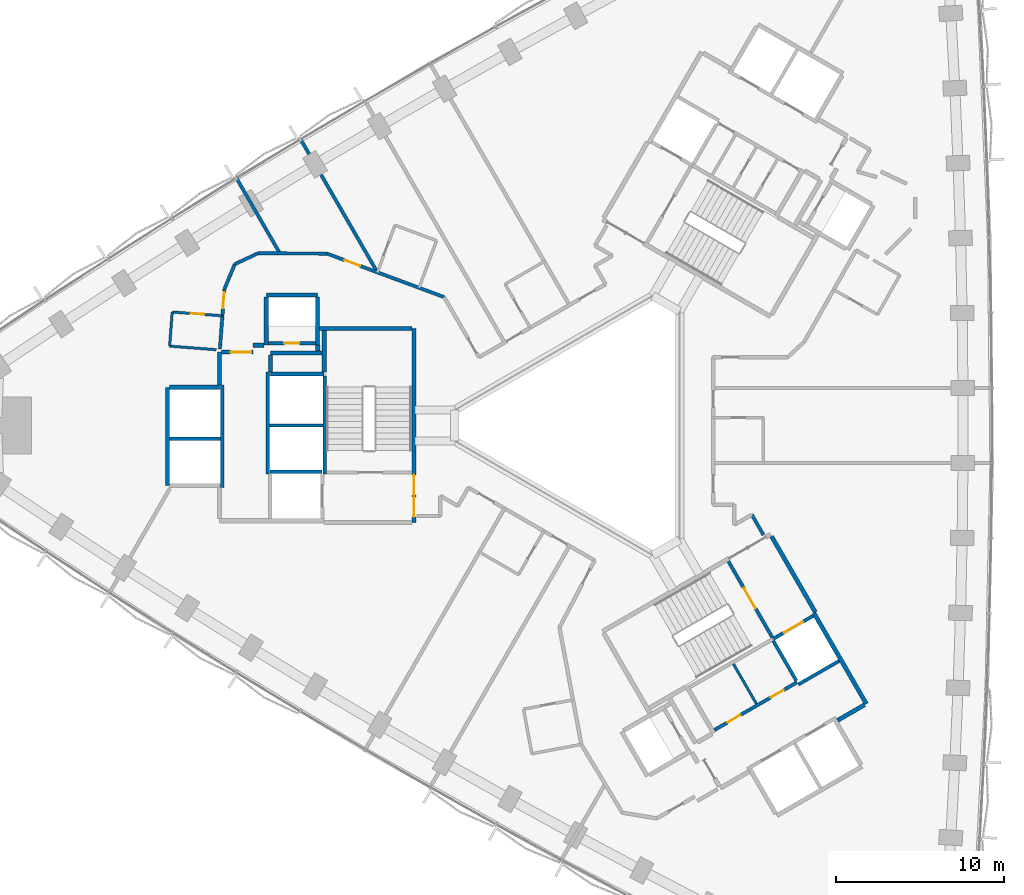
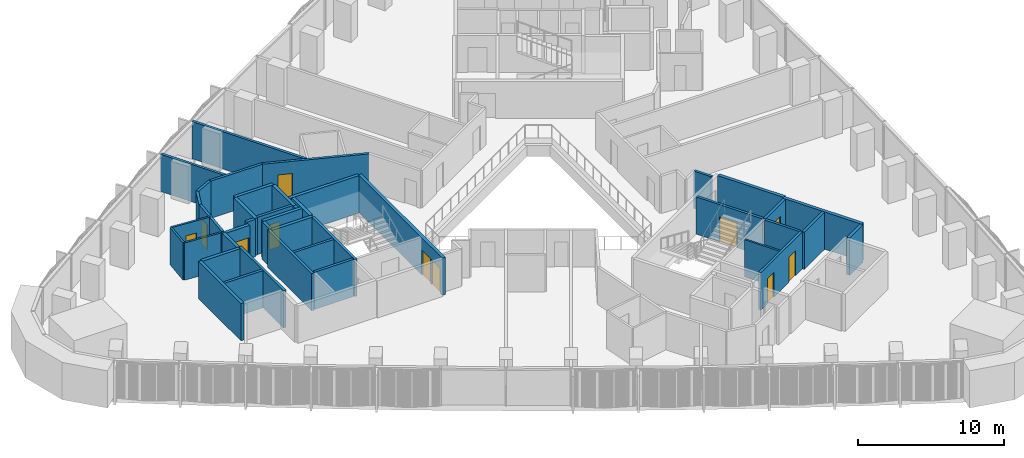
# One storey, part 9 of 15: 42 walls, 11 doors, 11 openings.
"""IFC4 building model written with IfcOpenShell, lengths in metres."""

from ifc_helpers import new_model, si_unit, direction, frame, frame_2d, origin, place, context, subcontext, project, spatial, rectangle, extrude, material, layer, layer_set, type_object, element, fill, save


model = new_model("IFC4")

# Units and contexts
model_context = context("Model", 3, precision=1e-05, world=origin(), true_north=direction((0.0, 1.0)))
body_context = subcontext(model_context, "Body", "Model", "MODEL_VIEW")
ifc_project = project(units=[si_unit("LENGTHUNIT", "METRE"), si_unit("AREAUNIT", "SQUARE_METRE"), si_unit("VOLUMEUNIT", "CUBIC_METRE"), si_unit("PLANEANGLEUNIT", "RADIAN"), si_unit("MASSUNIT", "GRAM", prefix="KILO")], contexts=[model_context])

# Site, building, storey
site_placement = place(None, origin())
site = spatial("IfcSite", under=ifc_project, at=site_placement, CompositionType="ELEMENT")
building_placement = place(site_placement, origin())
building = spatial("IfcBuilding", under=site, at=building_placement, Name="Tamra Quay Hotel Tower", CompositionType="ELEMENT")
storey_placement = place(building_placement, frame((0.0, 0.0, 42.199951171875)))
storey = spatial("IfcBuildingStorey", under=building, at=storey_placement, Name="L08", CompositionType="ELEMENT", Elevation=42.199951171875)

# Walls
ifc_material_1 = material(Name="Concrete M70", Category="concrete")
ifc_layer_1 = layer(ifc_material_1, 0.199951171875)
ifc_layer_set_1 = layer_set([ifc_layer_1], Name="Concrete M70 core wall 200")
wall_type_1 = type_object("IfcWallType", Name="Concrete M70 core wall 200", PredefinedType="SHEAR", material=ifc_layer_set_1)
wall_1_placement = place(storey_placement, frame((-16.162109375, 2.95068359375, 0.0), z_axis=(0.0, 0.0, 1.0), x_axis=(0.0, -1.0, 0.0)))
element("IfcWall", 1, at=wall_1_placement, inside=storey, type_object=wall_type_1, Name="CW2", PredefinedType="SHEAR", context=body_context, shape_type="SweptSolid", body=[
    extrude(rectangle(XDim=5.850830078125, YDim=0.199951171875, at=frame_2d((2.92529296875, 0.0))), origin(), (0.0, 0.0, 1.0), 3.125),
])
for number, where, z_axis, x_axis, name in (
    (2, (-19.5625, -2.900146484375, 0.0), (0.0, 0.0, 1.0), (0.0, 1.0, 0.0), "CW2"),
    (3, (-22.26220703125, 2.400146484375, 0.0), (0.0, 0.0, 1.0), (0.0, -1.0, 0.0), "CW2"),
):
    element("IfcWall", number, at=place(storey_placement, frame(where, z_axis=z_axis, x_axis=x_axis)), inside=storey, type_object=wall_type_1, Name=name, PredefinedType="SHEAR", context=body_context, shape_type="SweptSolid", body=[
        extrude(rectangle(XDim=6.100341796875, YDim=0.199951171875, at=frame_2d((3.05029296875, 0.0))), origin(), (0.0, 0.0, 1.0), 3.125),
    ])
wall_2_placement = place(storey_placement, frame((-16.26318359375, 0.0, 0.0), z_axis=(0.0, 0.0, 1.0), x_axis=(-1.0, 0.0, 0.0)))
element("IfcWall", 4, at=wall_2_placement, inside=storey, type_object=wall_type_1, Name="CW2", PredefinedType="SHEAR", context=body_context, shape_type="SweptSolid", body=[
    extrude(rectangle(XDim=3.1982421875, YDim=0.199951171875, at=frame_2d((1.59912109375, 0.0))), origin(), (0.0, 0.0, 1.0), 3.125),
])
wall_3_placement = place(storey_placement, frame((-22.36328125, -0.800048828125, 0.0), z_axis=(0.0, 0.0, 1.0), x_axis=(-1.0, 0.0, 0.0)))
element("IfcWall", 5, at=wall_3_placement, inside=storey, type_object=wall_type_1, Name="CW2", PredefinedType="SHEAR", context=body_context, shape_type="SweptSolid", body=[
    extrude(rectangle(XDim=3.048095703125, YDim=0.199951171875, at=frame_2d((1.52392578125, 0.0))), origin(), (0.0, 0.0, 1.0), 3.125),
])

# Wall, opening, door
wall_4_placement = place(storey_placement, frame((-19.51123046875, 4.91015625, 0.0), z_axis=(0.0, 0.0, 1.0), x_axis=(1.0, 0.0, 0.0)))
wall_4 = element("IfcWall", 6, at=wall_4_placement, inside=storey, type_object=wall_type_1, Name="CW2", PredefinedType="SHEAR", context=body_context, shape_type="SweptSolid", body=[
    extrude(rectangle(XDim=2.7978515625, YDim=0.199951171875, at=frame_2d((1.39892578125, 0.0))), origin(), (0.0, 0.0, 1.0), 3.125),
])
opening_1_placement = place(wall_4_placement, frame((0.948974609375, 0.0, 0.0)))
opening_1 = element("IfcOpeningElement", 7, at=opening_1_placement, cuts=wall_4, Name="Opening D1", PredefinedType="OPENING", context=body_context, shape_type="SweptSolid", body=[
    extrude(rectangle(XDim=0.89990234375, YDim=2.10009765625, at=frame_2d((0.449951171875, 1.050048828125))), frame((0.0, 0.10986328125, 0.0), z_axis=(0.0, -1.0, 0.0), x_axis=(1.0, 0.0, 0.0)), (0.0, 0.0, 1.0), 0.219970703125),
])
ifc_material_2 = material(Name="Core door D1 900x2100 RH")
door_type_1 = type_object("IfcDoorType", Name="Core door D1 900x2100 RH", OperationType="NOTDEFINED", PredefinedType="DOOR", material=ifc_material_2)
door_1_placement = place(opening_1_placement, origin())
door_1 = element("IfcDoor", 8, at=door_1_placement, inside=storey, type_object=door_type_1, Name="D1", OperationType="SINGLE_SWING_RIGHT", OverallHeight=2.10009765625, OverallWidth=0.89990234375, PredefinedType="DOOR", context=body_context, shape_type="SweptSolid", body=[
    extrude(rectangle(XDim=0.89990234375, YDim=2.10009765625, at=frame_2d((0.449951171875, 1.050048828125))), frame((0.0, 0.02490234375, 0.0), z_axis=(0.0, -1.0, 0.0), x_axis=(1.0, 0.0, 0.0)), (0.0, 0.0, 1.0), 0.050048828125),
])
fill(opening_1, door_1)

# Wall
wall_5_placement = place(storey_placement, frame((-19.412353515625, -2.75, 0.0), z_axis=(0.0, 0.0, 1.0), x_axis=(1.0, 0.0, 0.0)))
element("IfcWall", 9, at=wall_5_placement, inside=storey, type_object=wall_type_1, Name="CW2", PredefinedType="SHEAR", context=body_context, shape_type="SweptSolid", body=[
    extrude(rectangle(XDim=3.10009765625, YDim=0.199951171875, at=frame_2d((1.550048828125, 0.0))), origin(), (0.0, 0.0, 1.0), 3.125),
])

# Wall, openings, doors
wall_6_placement = place(storey_placement, frame((7.0771484375, -18.156005859375, 0.0), z_axis=(0.0, 0.0, 1.0), x_axis=(0.866038630372, 0.499977090179, 0.0)))
wall_6 = element("IfcWall", 10, at=wall_6_placement, inside=storey, type_object=wall_type_1, Name="CW2", PredefinedType="SHEAR", context=body_context, shape_type="SweptSolid", body=[
    extrude(rectangle(XDim=5.698974609375, YDim=0.199951171875, at=frame_2d((2.849609375, 0.0))), origin(), (0.0, 0.0, 1.0), 3.125),
])
opening_2_placement = place(wall_6_placement, frame((0.89892578125, 0.0, 0.0)))
opening_2 = element("IfcOpeningElement", 11, at=opening_2_placement, cuts=wall_6, Name="Opening D2", PredefinedType="OPENING", context=body_context, shape_type="SweptSolid", body=[
    extrude(rectangle(XDim=0.89990234375, YDim=2.10009765625, at=frame_2d((0.449951171875, 1.050048828125))), frame((0.0, 0.10986328125, 0.0), z_axis=(0.0, -1.0, 0.0), x_axis=(1.0, 0.0, 0.0)), (0.0, 0.0, 1.0), 0.219970703125),
])
opening_3_placement = place(wall_6_placement, frame((3.8740234375, 0.0, 0.0)))
opening_3 = element("IfcOpeningElement", 12, at=opening_3_placement, cuts=wall_6, Name="Opening D2", PredefinedType="OPENING", context=body_context, shape_type="SweptSolid", body=[
    extrude(rectangle(XDim=0.89990234375, YDim=2.10009765625, at=frame_2d((0.449951171875, 1.050048828125))), frame((0.0, 0.10986328125, 0.0), z_axis=(0.0, -1.0, 0.0), x_axis=(1.0, 0.0, 0.0)), (0.0, 0.0, 1.0), 0.219970703125),
])
ifc_material_3 = material(Name="Core door D2 900x2100 LH")
door_type_2 = type_object("IfcDoorType", Name="Core door D2 900x2100 LH", OperationType="NOTDEFINED", PredefinedType="DOOR", material=ifc_material_3)
door_2_placement = place(opening_2_placement, origin())
door_2 = element("IfcDoor", 13, at=door_2_placement, inside=storey, type_object=door_type_2, Name="D2", OperationType="SINGLE_SWING_LEFT", OverallHeight=2.10009765625, OverallWidth=0.89990234375, PredefinedType="DOOR", context=body_context, shape_type="SweptSolid", body=[
    extrude(rectangle(XDim=0.89990234375, YDim=2.10009765625, at=frame_2d((0.449951171875, 1.050048828125))), frame((0.0, 0.02490234375, 0.0), z_axis=(0.0, -1.0, 0.0), x_axis=(1.0, 0.0, 0.0)), (0.0, 0.0, 1.0), 0.050048828125),
])
fill(opening_2, door_2)
ifc_material_4 = material(Name="Core door D2 900x2100 RH")
door_type_3 = type_object("IfcDoorType", Name="Core door D2 900x2100 RH", OperationType="NOTDEFINED", PredefinedType="DOOR", material=ifc_material_4)
door_3_placement = place(opening_3_placement, origin())
door_3 = element("IfcDoor", 14, at=door_3_placement, inside=storey, type_object=door_type_3, Name="D2", OperationType="SINGLE_SWING_RIGHT", OverallHeight=2.10009765625, OverallWidth=0.89990234375, PredefinedType="DOOR", context=body_context, shape_type="SweptSolid", body=[
    extrude(rectangle(XDim=0.89990234375, YDim=2.10009765625, at=frame_2d((0.449951171875, 1.050048828125))), frame((0.0, 0.02490234375, 0.0), z_axis=(0.0, -1.0, 0.0), x_axis=(1.0, 0.0, 0.0)), (0.0, 0.0, 1.0), 0.050048828125),
])
fill(opening_3, door_3)

# Wall, opening, door
wall_7_placement = place(storey_placement, frame((7.906494140625, -8.094482421875, 0.0), z_axis=(0.0, 0.0, 1.0), x_axis=(0.500024287448, -0.866011380966, 0.0)))
wall_7 = element("IfcWall", 15, at=wall_7_placement, inside=storey, type_object=wall_type_1, Name="CW2", PredefinedType="SHEAR", context=body_context, shape_type="SweptSolid", body=[
    extrude(rectangle(XDim=5.251220703125, YDim=0.199951171875, at=frame_2d((2.62548828125, 0.0))), origin(), (0.0, 0.0, 1.0), 3.125),
])
opening_4_placement = place(wall_7_placement, frame((1.84912109375, 0.0, 0.0)))
opening_4 = element("IfcOpeningElement", 16, at=opening_4_placement, cuts=wall_7, Name="Opening FD2", PredefinedType="OPENING", context=body_context, shape_type="SweptSolid", body=[
    extrude(rectangle(XDim=1.39990234375, YDim=2.10009765625, at=frame_2d((0.699951171875, 1.050048828125))), frame((0.0, 0.10986328125, 0.0), z_axis=(0.0, -1.0, 0.0), x_axis=(1.0, 0.0, 0.0)), (0.0, 0.0, 1.0), 0.219970703125),
])
ifc_material_5 = material(Name="Core door FD2 1400x2100 RH")
door_type_4 = type_object("IfcDoorType", Name="Core door FD2 1400x2100 RH", OperationType="NOTDEFINED", PredefinedType="DOOR", material=ifc_material_5)
door_4_placement = place(opening_4_placement, origin())
door_4 = element("IfcDoor", 17, at=door_4_placement, inside=storey, type_object=door_type_4, Name="FD2", OperationType="SINGLE_SWING_RIGHT", OverallHeight=2.10009765625, OverallWidth=1.39990234375, PredefinedType="DOOR", context=body_context, shape_type="SweptSolid", body=[
    extrude(rectangle(XDim=1.39990234375, YDim=2.10009765625, at=frame_2d((0.699951171875, 1.050048828125))), frame((0.0, 0.02490234375, 0.0), z_axis=(0.0, -1.0, 0.0), x_axis=(1.0, 0.0, 0.0)), (0.0, 0.0, 1.0), 0.050048828125),
])
fill(opening_4, door_4)

# Wall
wall_8_placement = place(storey_placement, frame((11.962646484375, -15.219970703125, 0.0), z_axis=(0.0, 0.0, 1.0), x_axis=(-0.500034990121, 0.866005201286, 0.0)))
element("IfcWall", 18, at=wall_8_placement, inside=storey, type_object=wall_type_1, Name="CW2", PredefinedType="SHEAR", context=body_context, shape_type="SweptSolid", body=[
    extrude(rectangle(XDim=2.749755859375, YDim=0.199951171875, at=frame_2d((1.375, 0.0))), origin(), (0.0, 0.0, 1.0), 3.125),
])

# Wall, opening, door
wall_9_placement = place(storey_placement, frame((10.587158203125, -12.72314453125, 0.0), z_axis=(0.0, 0.0, 1.0), x_axis=(0.866037306777, 0.499979382845, 0.0)))
wall_9 = element("IfcWall", 19, at=wall_9_placement, inside=storey, type_object=wall_type_1, Name="CW2", PredefinedType="SHEAR", context=body_context, shape_type="SweptSolid", body=[
    extrude(rectangle(XDim=2.74169921875, YDim=0.199951171875, at=frame_2d((1.370849609375, 0.0))), origin(), (0.0, 0.0, 1.0), 3.125),
])
opening_5_placement = place(wall_9_placement, frame((0.742919921875, 0.0, 0.0)))
opening_5 = element("IfcOpeningElement", 20, at=opening_5_placement, cuts=wall_9, Name="Opening LD", PredefinedType="OPENING", context=body_context, shape_type="SweptSolid", body=[
    extrude(rectangle(XDim=1.300048828125, YDim=2.10009765625, at=frame_2d((0.64990234375, 1.050048828125))), frame((0.0, 0.10986328125, 0.0), z_axis=(0.0, -1.0, 0.0), x_axis=(1.0, 0.0, 0.0)), (0.0, 0.0, 1.0), 0.219970703125),
])
ifc_material_6 = material(Name="Landing door LD 1300 sliding to right")
door_type_5 = type_object("IfcDoorType", Name="Landing door LD 1300 sliding to right", OperationType="NOTDEFINED", PredefinedType="DOOR", material=ifc_material_6)
door_5_placement = place(opening_5_placement, origin())
door_5 = element("IfcDoor", 21, at=door_5_placement, inside=storey, type_object=door_type_5, Name="LD", OperationType="SLIDING_TO_RIGHT", OverallHeight=2.10009765625, OverallWidth=1.300048828125, PredefinedType="DOOR", context=body_context, shape_type="SweptSolid", body=[
    extrude(rectangle(XDim=1.300048828125, YDim=2.10009765625, at=frame_2d((0.64990234375, 1.050048828125))), frame((0.0, 0.02490234375, 0.0), z_axis=(0.0, -1.0, 0.0), x_axis=(1.0, 0.0, 0.0)), (0.0, 0.0, 1.0), 0.050048828125),
])
fill(opening_5, door_5)

# Wall
wall_10_placement = place(storey_placement, frame((14.51171875, -14.037109375, 0.0), z_axis=(0.0, 0.0, 1.0), x_axis=(-0.866044696403, -0.499966582715, 0.0)))
element("IfcWall", 22, at=wall_10_placement, inside=storey, type_object=wall_type_1, Name="CW2", PredefinedType="SHEAR", context=body_context, shape_type="SweptSolid", body=[
    extrude(rectangle(XDim=2.799072265625, YDim=0.199951171875, at=frame_2d((1.3994140625, 0.0))), origin(), (0.0, 0.0, 1.0), 3.125),
])

# Wall, openings, doors
ifc_layer_2 = layer(ifc_material_1, 0.25)
ifc_layer_set_2 = layer_set([ifc_layer_2], Name="Concrete M70 core wall 250")
wall_type_2 = type_object("IfcWallType", Name="Concrete M70 core wall 250", PredefinedType="SHEAR", material=ifc_layer_set_2)
wall_11_placement = place(storey_placement, frame((-10.83740234375, 5.77490234375, 0.0), z_axis=(0.0, 0.0, 1.0), x_axis=(0.0, -1.0, 0.0)))
wall_11 = element("IfcWall", 23, at=wall_11_placement, inside=storey, type_object=wall_type_2, Name="CW1", PredefinedType="SHEAR", context=body_context, shape_type="SweptSolid", body=[
    extrude(rectangle(XDim=11.5498046875, YDim=0.25, at=frame_2d((5.77490234375, 0.0))), origin(), (0.0, 0.0, 1.0), 3.125),
])
opening_6_placement = place(wall_11_placement, frame((10.02490234375, 0.0, 0.0)))
opening_6 = element("IfcOpeningElement", 24, at=opening_6_placement, cuts=wall_11, Name="Opening FD1", PredefinedType="OPENING", context=body_context, shape_type="SweptSolid", body=[
    extrude(rectangle(XDim=1.199951171875, YDim=2.10009765625, at=frame_2d((0.60009765625, 1.050048828125))), frame((0.0, 0.135009765625, 0.0), z_axis=(0.0, -1.0, 0.0), x_axis=(1.0, 0.0, 0.0)), (0.0, 0.0, 1.0), 0.27001953125),
])
opening_7_placement = place(wall_11_placement, frame((8.72509765625, 0.0, 0.0)))
opening_7 = element("IfcOpeningElement", 25, at=opening_7_placement, cuts=wall_11, Name="Opening FD1", PredefinedType="OPENING", context=body_context, shape_type="SweptSolid", body=[
    extrude(rectangle(XDim=1.199951171875, YDim=2.10009765625, at=frame_2d((0.60009765625, 1.050048828125))), frame((0.0, 0.135009765625, 0.0), z_axis=(0.0, -1.0, 0.0), x_axis=(1.0, 0.0, 0.0)), (0.0, 0.0, 1.0), 0.27001953125),
])
ifc_material_7 = material(Name="Core door FD1 1200x2100 LH")
door_type_6 = type_object("IfcDoorType", Name="Core door FD1 1200x2100 LH", OperationType="NOTDEFINED", PredefinedType="DOOR", material=ifc_material_7)
door_6_placement = place(opening_6_placement, origin())
door_6 = element("IfcDoor", 26, at=door_6_placement, inside=storey, type_object=door_type_6, Name="FD1", OperationType="SINGLE_SWING_LEFT", OverallHeight=2.10009765625, OverallWidth=1.199951171875, PredefinedType="DOOR", context=body_context, shape_type="SweptSolid", body=[
    extrude(rectangle(XDim=1.199951171875, YDim=2.10009765625, at=frame_2d((0.60009765625, 1.050048828125))), frame((0.0, 0.02490234375, 0.0), z_axis=(0.0, -1.0, 0.0), x_axis=(1.0, 0.0, 0.0)), (0.0, 0.0, 1.0), 0.050048828125),
])
fill(opening_6, door_6)
ifc_material_8 = material(Name="Core door FD1 1200x2100 RH")
door_type_7 = type_object("IfcDoorType", Name="Core door FD1 1200x2100 RH", OperationType="NOTDEFINED", PredefinedType="DOOR", material=ifc_material_8)
door_7_placement = place(opening_7_placement, origin())
door_7 = element("IfcDoor", 27, at=door_7_placement, inside=storey, type_object=door_type_7, Name="FD1", OperationType="SINGLE_SWING_RIGHT", OverallHeight=2.10009765625, OverallWidth=1.199951171875, PredefinedType="DOOR", context=body_context, shape_type="SweptSolid", body=[
    extrude(rectangle(XDim=1.199951171875, YDim=2.10009765625, at=frame_2d((0.60009765625, 1.050048828125))), frame((0.0, 0.02490234375, 0.0), z_axis=(0.0, -1.0, 0.0), x_axis=(1.0, 0.0, 0.0)), (0.0, 0.0, 1.0), 0.050048828125),
])
fill(opening_7, door_7)

# Walls
wall_12_placement = place(storey_placement, frame((-25.537353515625, -3.574951171875, 0.0), z_axis=(0.0, 0.0, 1.0), x_axis=(0.0, 1.0, 0.0)))
element("IfcWall", 28, at=wall_12_placement, inside=storey, type_object=wall_type_2, Name="CW1", PredefinedType="SHEAR", context=body_context, shape_type="SweptSolid", body=[
    extrude(rectangle(XDim=5.849853515625, YDim=0.25, at=frame_2d((2.9248046875, 0.0))), origin(), (0.0, 0.0, 1.0), 3.125),
])
wall_13_placement = place(storey_placement, frame((-16.47216796875, 5.77490234375, 0.0), z_axis=(0.0, 0.0, 1.0), x_axis=(1.0, 0.0, 0.0)))
element("IfcWall", 29, at=wall_13_placement, inside=storey, type_object=wall_type_2, Name="CW1", PredefinedType="SHEAR", context=body_context, shape_type="SweptSolid", body=[
    extrude(rectangle(XDim=5.509521484375, YDim=0.25, at=frame_2d((2.7548828125, 0.0))), origin(), (0.0, 0.0, 1.0), 3.125),
])
wall_14_placement = place(storey_placement, frame((-19.38720703125, 3.074951171875, 0.0), z_axis=(0.0, 0.0, 1.0), x_axis=(1.0, 0.0, 0.0)))
element("IfcWall", 30, at=wall_14_placement, inside=storey, type_object=wall_type_2, Name="CW1", PredefinedType="SHEAR", context=body_context, shape_type="SweptSolid", body=[
    extrude(rectangle(XDim=3.199951171875, YDim=0.25, at=frame_2d((1.60009765625, 0.0))), origin(), (0.0, 0.0, 1.0), 3.125),
])
wall_15_placement = place(storey_placement, frame((-25.411865234375, 2.27490234375, 0.0), z_axis=(0.0, 0.0, 1.0), x_axis=(1.0, 0.0, 0.0)))
element("IfcWall", 31, at=wall_15_placement, inside=storey, type_object=wall_type_2, Name="CW1", PredefinedType="SHEAR", context=body_context, shape_type="SweptSolid", body=[
    extrude(rectangle(XDim=2.974609375, YDim=0.25, at=frame_2d((1.4873046875, 0.0))), origin(), (0.0, 0.0, 1.0), 3.125),
])
wall_16_placement = place(storey_placement, frame((-19.63720703125, 7.77490234375, 0.0), z_axis=(0.0, 0.0, 1.0), x_axis=(1.0, 0.0, 0.0)))
element("IfcWall", 32, at=wall_16_placement, inside=storey, type_object=wall_type_2, Name="CW1", PredefinedType="SHEAR", context=body_context, shape_type="SweptSolid", body=[
    extrude(rectangle(XDim=3.0498046875, YDim=0.25, at=frame_2d((1.52490234375, 0.0))), origin(), (0.0, 0.0, 1.0), 3.125),
])
for number, where, z_axis, x_axis, name in (
    (33, (-16.58740234375, 7.649658203125, 0.0), (0.0, 0.0, 1.0), (0.0, -1.0, 0.0), "CW1"),
    (34, (-19.63720703125, 4.784912109375, 0.0), (0.0, 0.0, 1.0), (0.0, 1.0, 0.0), "CW1"),
):
    element("IfcWall", number, at=place(storey_placement, frame(where, z_axis=z_axis, x_axis=x_axis)), inside=storey, type_object=wall_type_2, Name=name, PredefinedType="SHEAR", context=body_context, shape_type="SweptSolid", body=[
        extrude(rectangle(XDim=2.86474609375, YDim=0.25, at=frame_2d((1.432373046875, 0.0))), origin(), (0.0, 0.0, 1.0), 3.125),
    ])
wall_17_placement = place(storey_placement, frame((-16.30224609375, 4.31494140625, 0.0), z_axis=(0.0, 0.0, 1.0), x_axis=(-1.0, 0.0, 0.0)))
element("IfcWall", 35, at=wall_17_placement, inside=storey, type_object=wall_type_2, Name="CW1", PredefinedType="SHEAR", context=body_context, shape_type="SweptSolid", body=[
    extrude(rectangle(XDim=3.0849609375, YDim=0.25, at=frame_2d((1.54248046875, 0.0))), origin(), (0.0, 0.0, 1.0), 3.125),
])
wall_18_placement = place(storey_placement, frame((-16.187255859375, 3.200439453125, 0.0), z_axis=(0.0, 0.0, 1.0), x_axis=(0.0, 1.0, 0.0)))
element("IfcWall", 36, at=wall_18_placement, inside=storey, type_object=wall_type_2, Name="CW1", PredefinedType="SHEAR", context=body_context, shape_type="SweptSolid", body=[
    extrude(rectangle(XDim=2.44921875, YDim=0.25, at=frame_2d((1.224609375, 0.0))), origin(), (0.0, 0.0, 1.0), 3.125),
])
wall_19_placement = place(storey_placement, frame((-22.437255859375, 2.400390625, 0.0), z_axis=(0.0, 0.0, 1.0), x_axis=(0.0, 1.0, 0.0)))
element("IfcWall", 37, at=wall_19_placement, inside=storey, type_object=wall_type_2, Name="CW1", PredefinedType="SHEAR", context=body_context, shape_type="SweptSolid", body=[
    extrude(rectangle(XDim=1.974609375, YDim=0.25, at=frame_2d((0.9873046875, 0.0))), origin(), (0.0, 0.0, 1.0), 3.125),
])

# Wall, opening, door
wall_20_placement = place(storey_placement, frame((-22.311767578125, 4.375, 0.0), z_axis=(0.0, 0.0, 1.0), x_axis=(1.0, 0.0, 0.0)))
wall_20 = element("IfcWall", 38, at=wall_20_placement, inside=storey, type_object=wall_type_2, Name="CW1", PredefinedType="SHEAR", context=body_context, shape_type="SweptSolid", body=[
    extrude(rectangle(XDim=1.864501953125, YDim=0.25, at=frame_2d((0.93212890625, 0.0))), origin(), (0.0, 0.0, 1.0), 3.125),
])
opening_8_placement = place(wall_20_placement, frame((0.53466796875, 0.0, 0.0)))
opening_8 = element("IfcOpeningElement", 39, at=opening_8_placement, cuts=wall_20, Name="Opening FD3", PredefinedType="OPENING", context=body_context, shape_type="SweptSolid", body=[
    extrude(rectangle(XDim=1.25, YDim=2.10009765625, at=frame_2d((0.625, 1.050048828125))), frame((0.0, 0.135009765625, 0.0), z_axis=(0.0, -1.0, 0.0), x_axis=(1.0, 0.0, 0.0)), (0.0, 0.0, 1.0), 0.27001953125),
])
ifc_material_9 = material(Name="Core door FD3 1250x2100 LH")
door_type_8 = type_object("IfcDoorType", Name="Core door FD3 1250x2100 LH", OperationType="NOTDEFINED", PredefinedType="DOOR", material=ifc_material_9)
door_8_placement = place(opening_8_placement, origin())
door_8 = element("IfcDoor", 40, at=door_8_placement, inside=storey, type_object=door_type_8, Name="FD3", OperationType="SINGLE_SWING_LEFT", OverallHeight=2.10009765625, OverallWidth=1.25, PredefinedType="DOOR", context=body_context, shape_type="SweptSolid", body=[
    extrude(rectangle(XDim=1.25, YDim=2.10009765625, at=frame_2d((0.625, 1.050048828125))), frame((0.0, 0.02490234375, 0.0), z_axis=(0.0, -1.0, 0.0), x_axis=(1.0, 0.0, 0.0)), (0.0, 0.0, 1.0), 0.050048828125),
])
fill(opening_8, door_8)

# Walls
wall_21_placement = place(storey_placement, frame((-19.38720703125, 4.189697265625, 0.0), z_axis=(0.0, 0.0, 1.0), x_axis=(0.0, -1.0, 0.0)))
element("IfcWall", 41, at=wall_21_placement, inside=storey, type_object=wall_type_2, Name="CW1", PredefinedType="SHEAR", context=body_context, shape_type="SweptSolid", body=[
    extrude(rectangle(XDim=0.9892578125, YDim=0.25, at=frame_2d((0.49462890625, 0.0))), origin(), (0.0, 0.0, 1.0), 3.125),
])
wall_22_placement = place(storey_placement, frame((-20.447265625, 4.784912109375, 0.0), z_axis=(0.0, 0.0, 1.0), x_axis=(1.0, 0.0, 0.0)))
element("IfcWall", 42, at=wall_22_placement, inside=storey, type_object=wall_type_2, Name="CW1", PredefinedType="SHEAR", context=body_context, shape_type="SweptSolid", body=[
    extrude(rectangle(XDim=0.6845703125, YDim=0.25, at=frame_2d((0.34228515625, 0.0))), origin(), (0.0, 0.0, 1.0), 3.125),
])
wall_23_placement = place(storey_placement, frame((-16.577392578125, 4.784912109375, 0.0), z_axis=(0.0, 0.0, 1.0), x_axis=(0.0, -1.0, 0.0)))
element("IfcWall", 43, at=wall_23_placement, inside=storey, type_object=wall_type_2, Name="CW1", PredefinedType="SHEAR", context=body_context, shape_type="SweptSolid", body=[
    extrude(rectangle(XDim=0.344482421875, YDim=0.25, at=frame_2d((0.17236328125, 0.0))), origin(), (0.0, 0.0, 1.0), 3.125),
])
wall_24_placement = place(storey_placement, frame((13.00830078125, -11.18115234375, 0.0), z_axis=(0.0, 0.0, 1.0), x_axis=(0.500004234368, -0.866022959057, 0.0)))
element("IfcWall", 44, at=wall_24_placement, inside=storey, type_object=wall_type_2, Name="CW1", PredefinedType="SHEAR", context=body_context, shape_type="SweptSolid", body=[
    extrude(rectangle(XDim=6.25, YDim=0.25, at=frame_2d((3.125, 0.0))), origin(), (0.0, 0.0, 1.0), 3.125),
])
wall_25_placement = place(storey_placement, frame((10.482666015625, -6.6064453125, 0.0), z_axis=(0.0, 0.0, 1.0), x_axis=(0.49999885962, -0.866026062182, 0.0)))
element("IfcWall", 45, at=wall_25_placement, inside=storey, type_object=wall_type_2, Name="CW1", PredefinedType="SHEAR", context=body_context, shape_type="SweptSolid", body=[
    extrude(rectangle(XDim=5.224609375, YDim=0.25, at=frame_2d((2.6123046875, 0.0))), origin(), (0.0, 0.0, 1.0), 3.125),
])
wall_26_placement = place(storey_placement, frame((16.024658203125, -16.656494140625, 0.0), z_axis=(0.0, 0.0, 1.0), x_axis=(-0.866016279763, -0.500015802937, 0.0)))
element("IfcWall", 46, at=wall_26_placement, inside=storey, type_object=wall_type_2, Name="CW1", PredefinedType="SHEAR", context=body_context, shape_type="SweptSolid", body=[
    extrude(rectangle(XDim=1.84912109375, YDim=0.25, at=frame_2d((0.924560546875, 0.0))), origin(), (0.0, 0.0, 1.0), 3.125),
])
ifc_material_10 = material(Name="Blockwork", Category="masonry")
ifc_layer_3 = layer(ifc_material_10, 0.14990234375)
ifc_layer_set_3 = layer_set([ifc_layer_3], Name="Core partition block 150")
wall_type_3 = type_object("IfcWallType", Name="Core partition block 150", PredefinedType="PARTITIONING", material=ifc_layer_set_3)
wall_27_placement = place(storey_placement, frame((8.20654296875, -14.214111328125, 0.0), z_axis=(0.0, 0.0, 1.0), x_axis=(0.50002746344, -0.86600954718, 0.0)))
element("IfcWall", 47, at=wall_27_placement, inside=storey, type_object=wall_type_3, Name="CP1", PredefinedType="PARTITIONING", context=body_context, shape_type="SweptSolid", body=[
    extrude(rectangle(XDim=2.748291015625, YDim=0.14990234375, at=frame_2d((1.3740234375, 0.0))), origin(), (0.0, 0.0, 1.0), 3.125),
])

# Wall, opening, door
ifc_material_11 = material(Name="Partition corridor wall")
ifc_layer_4 = layer(ifc_material_11, 0.199951171875)
ifc_layer_set_4 = layer_set([ifc_layer_4], Name="Partition corridor wall")
wall_type_4 = type_object("IfcWallType", Name="Partition corridor wall", PredefinedType="PARTITIONING", material=ifc_layer_set_4)
wall_28_placement = place(storey_placement, frame((-22.406494140625, 4.56005859375, 0.0), z_axis=(0.0, 0.0, 1.0), x_axis=(0.075830817711, 0.997120698354, 0.0)))
wall_28 = element("IfcWall", 48, at=wall_28_placement, inside=storey, type_object=wall_type_4, Name="W-C", PredefinedType="PARTITIONING", context=body_context, shape_type="SweptSolid", body=[
    extrude(rectangle(XDim=3.580078125, YDim=0.199951171875, at=frame_2d((1.7900390625, 0.0))), origin(), (0.0, 0.0, 1.0), 3.125),
])
opening_9_placement = place(wall_28_placement, frame((2.430419921875, 0.0, 0.0)))
opening_9 = element("IfcOpeningElement", 49, at=opening_9_placement, cuts=wall_28, Name="Opening L08-D012", PredefinedType="OPENING", context=body_context, shape_type="SweptSolid", body=[
    extrude(rectangle(XDim=0.949951171875, YDim=2.10009765625, at=frame_2d((0.47509765625, 1.050048828125))), frame((0.0, 0.10986328125, 0.0), z_axis=(0.0, -1.0, 0.0), x_axis=(1.0, 0.0, 0.0)), (0.0, 0.0, 1.0), 0.219970703125),
])
ifc_material_12 = material(Name="Door guest room 950x2100")
door_type_9 = type_object("IfcDoorType", Name="Door guest room 950x2100", OperationType="NOTDEFINED", PredefinedType="DOOR", material=ifc_material_12)
door_9_placement = place(opening_9_placement, origin())
door_9 = element("IfcDoor", 50, at=door_9_placement, inside=storey, type_object=door_type_9, Name="L08-D012", OperationType="SINGLE_SWING_LEFT", OverallHeight=2.10009765625, OverallWidth=0.949951171875, PredefinedType="DOOR", context=body_context, shape_type="SweptSolid", body=[
    extrude(rectangle(XDim=0.949951171875, YDim=2.10009765625, at=frame_2d((0.47509765625, 1.050048828125))), frame((0.0, 0.02490234375, 0.0), z_axis=(0.0, -1.0, 0.0), x_axis=(1.0, 0.0, 0.0)), (0.0, 0.0, 1.0), 0.050048828125),
])
fill(opening_9, door_9)

# Walls
wall_29_placement = place(storey_placement, frame((-22.135009765625, 8.134033203125, 0.0), z_axis=(0.0, 0.0, 1.0), x_axis=(0.383208453534, 0.923661886807, 0.0)))
element("IfcWall", 51, at=wall_29_placement, inside=storey, type_object=wall_type_4, Name="W-C", PredefinedType="PARTITIONING", context=body_context, shape_type="SweptSolid", body=[
    extrude(rectangle(XDim=1.602294921875, YDim=0.199951171875, at=frame_2d((0.80126953125, 0.0))), origin(), (0.0, 0.0, 1.0), 3.125),
])
wall_30_placement = place(storey_placement, frame((-21.52099609375, 9.614013671875, 0.0), z_axis=(0.0, 0.0, 1.0), x_axis=(0.904083527367, 0.427355795028, 0.0)))
element("IfcWall", 52, at=wall_30_placement, inside=storey, type_object=wall_type_4, Name="W-C", PredefinedType="PARTITIONING", context=body_context, shape_type="SweptSolid", body=[
    extrude(rectangle(XDim=1.52294921875, YDim=0.199951171875, at=frame_2d((0.761474609375, 0.0))), origin(), (0.0, 0.0, 1.0), 3.125),
])
wall_31_placement = place(storey_placement, frame((-20.14306640625, 10.26611328125, 0.0), z_axis=(0.0, 0.0, 1.0), x_axis=(0.999989297417, -0.004626559416, 0.0)))
element("IfcWall", 53, at=wall_31_placement, inside=storey, type_object=wall_type_4, Name="W-C", PredefinedType="PARTITIONING", context=body_context, shape_type="SweptSolid", body=[
    extrude(rectangle(XDim=4.115966796875, YDim=0.199951171875, at=frame_2d((2.05810546875, 0.0))), origin(), (0.0, 0.0, 1.0), 3.125),
])

# Wall, opening, door
wall_32_placement = place(storey_placement, frame((-16.025146484375, 10.248046875, 0.0), z_axis=(0.0, 0.0, 1.0), x_axis=(0.937475629829, -0.348050920809, 0.0)))
wall_32 = element("IfcWall", 54, at=wall_32_placement, inside=storey, type_object=wall_type_4, Name="W-C", PredefinedType="PARTITIONING", context=body_context, shape_type="SweptSolid", body=[
    extrude(rectangle(XDim=7.45849609375, YDim=0.199951171875, at=frame_2d((3.729248046875, 0.0))), origin(), (0.0, 0.0, 1.0), 3.125),
])
opening_10_placement = place(wall_32_placement, frame((1.11279296875, 0.0, 0.0)))
opening_10 = element("IfcOpeningElement", 55, at=opening_10_placement, cuts=wall_32, Name="Opening L08-D011", PredefinedType="OPENING", context=body_context, shape_type="SweptSolid", body=[
    extrude(rectangle(XDim=1.0, YDim=2.10009765625, at=frame_2d((0.5, 1.050048828125))), frame((0.0, 0.10986328125, 0.0), z_axis=(0.0, -1.0, 0.0), x_axis=(1.0, 0.0, 0.0)), (0.0, 0.0, 1.0), 0.219970703125),
])
ifc_material_13 = material(Name="Door guest room 1000x2100")
door_type_10 = type_object("IfcDoorType", Name="Door guest room 1000x2100", OperationType="NOTDEFINED", PredefinedType="DOOR", material=ifc_material_13)
door_10_placement = place(opening_10_placement, origin())
door_10 = element("IfcDoor", 56, at=door_10_placement, inside=storey, type_object=door_type_10, Name="L08-D011", OperationType="SINGLE_SWING_LEFT", OverallHeight=2.10009765625, OverallWidth=1.0, PredefinedType="DOOR", context=body_context, shape_type="SweptSolid", body=[
    extrude(rectangle(XDim=1.0, YDim=2.10009765625, at=frame_2d((0.5, 1.050048828125))), frame((0.0, 0.02490234375, 0.0), z_axis=(0.0, -1.0, 0.0), x_axis=(1.0, 0.0, 0.0)), (0.0, 0.0, 1.0), 0.050048828125),
])
fill(opening_10, door_10)

# Walls
wall_33_placement = place(storey_placement, frame((9.306884765625, -5.322021484375, 0.0), z_axis=(0.0, 0.0, 1.0), x_axis=(0.500295157811, -0.865854927266, 0.0)))
element("IfcWall", 57, at=wall_33_placement, inside=storey, type_object=wall_type_4, Name="W-C", PredefinedType="PARTITIONING", context=body_context, shape_type="SweptSolid", body=[
    extrude(rectangle(XDim=1.389892578125, YDim=0.199951171875, at=frame_2d((0.69482421875, 0.0))), origin(), (0.0, 0.0, 1.0), 3.125),
])
ifc_material_14 = material(Name="Partition en-suite wall")
ifc_layer_5 = layer(ifc_material_14, 0.14990234375)
ifc_layer_set_5 = layer_set([ifc_layer_5], Name="Partition en-suite wall")
wall_type_5 = type_object("IfcWallType", Name="Partition en-suite wall", PredefinedType="PARTITIONING", material=ifc_layer_set_5)
wall_34_placement = place(storey_placement, frame((-25.403076171875, 4.73193359375, 0.0), z_axis=(0.0, 0.0, 1.0), x_axis=(0.076109886026, 0.997099435989, 0.0)))
element("IfcWall", 58, at=wall_34_placement, inside=storey, type_object=wall_type_5, Name="W-E", PredefinedType="PARTITIONING", context=body_context, shape_type="SweptSolid", body=[
    extrude(rectangle(XDim=2.036865234375, YDim=0.14990234375, at=frame_2d((1.0185546875, 0.0))), origin(), (0.0, 0.0, 1.0), 3.125),
])
wall_35_placement = place(storey_placement, frame((-25.39990234375, 4.72998046875, 0.0), z_axis=(0.0, 0.0, 1.0), x_axis=(0.997102235974, -0.076073195115, 0.0)))
element("IfcWall", 59, at=wall_35_placement, inside=storey, type_object=wall_type_5, Name="W-E", PredefinedType="PARTITIONING", context=body_context, shape_type="SweptSolid", body=[
    extrude(rectangle(XDim=2.78564453125, YDim=0.14990234375, at=frame_2d((1.392822265625, 0.0))), origin(), (0.0, 0.0, 1.0), 3.125),
])

# Wall, opening, door
wall_36_placement = place(storey_placement, frame((-25.24609375, 6.76611328125, 0.0), z_axis=(0.0, 0.0, 1.0), x_axis=(0.997102673612, -0.076067458724, 0.0)))
wall_36 = element("IfcWall", 60, at=wall_36_placement, inside=storey, type_object=wall_type_5, Name="W-E", PredefinedType="PARTITIONING", context=body_context, shape_type="SweptSolid", body=[
    extrude(rectangle(XDim=2.997802734375, YDim=0.14990234375, at=frame_2d((1.4990234375, 0.0))), origin(), (0.0, 0.0, 1.0), 3.125),
])
opening_11_placement = place(wall_36_placement, frame((1.097900390625, 0.0, 0.0)))
opening_11 = element("IfcOpeningElement", 61, at=opening_11_placement, cuts=wall_36, Name="Opening L08-D013", PredefinedType="OPENING", context=body_context, shape_type="SweptSolid", body=[
    extrude(rectangle(XDim=0.800048828125, YDim=2.10009765625, at=frame_2d((0.39990234375, 1.050048828125))), frame((0.0, 0.0849609375, 0.0), z_axis=(0.0, -1.0, 0.0), x_axis=(1.0, 0.0, 0.0)), (0.0, 0.0, 1.0), 0.169921875),
])
ifc_material_15 = material(Name="Door en-suite 800x2100")
door_type_11 = type_object("IfcDoorType", Name="Door en-suite 800x2100", OperationType="NOTDEFINED", PredefinedType="DOOR", material=ifc_material_15)
door_11_placement = place(opening_11_placement, frame((0.800048828125, 0.0, 0.0), z_axis=(0.0, 0.0, 1.0), x_axis=(-1.0, 0.0, 0.0)))
door_11 = element("IfcDoor", 62, at=door_11_placement, inside=storey, type_object=door_type_11, Name="L08-D013", OperationType="SINGLE_SWING_LEFT", OverallHeight=2.10009765625, OverallWidth=0.800048828125, PredefinedType="DOOR", context=body_context, shape_type="SweptSolid", body=[
    extrude(rectangle(XDim=0.800048828125, YDim=2.10009765625, at=frame_2d((0.39990234375, 1.050048828125))), frame((0.0, 0.02490234375, 0.0), z_axis=(0.0, -1.0, 0.0), x_axis=(1.0, 0.0, 0.0)), (0.0, 0.0, 1.0), 0.050048828125),
])
fill(opening_11, door_11)

# Walls
ifc_material_16 = material(Name="Partition party wall")
ifc_layer_6 = layer(ifc_material_16, 0.199951171875)
ifc_layer_set_6 = layer_set([ifc_layer_6], Name="Partition party wall")
wall_type_6 = type_object("IfcWallType", Name="Partition party wall", PredefinedType="PARTITIONING", material=ifc_layer_set_6)
wall_37_placement = place(storey_placement, frame((-21.41162109375, 14.737060546875, 0.0), z_axis=(0.0, 0.0, 1.0), x_axis=(0.49998408811, -0.866034590324, 0.0)))
element("IfcWall", 63, at=wall_37_placement, inside=storey, type_object=wall_type_6, Name="W-P", PredefinedType="PARTITIONING", context=body_context, shape_type="SweptSolid", body=[
    extrude(rectangle(XDim=5.169677734375, YDim=0.199951171875, at=frame_2d((2.5849609375, 0.0))), origin(), (0.0, 0.0, 1.0), 3.125),
])
wall_38_placement = place(storey_placement, frame((-17.589599609375, 17.05517578125, 0.0), z_axis=(0.0, 0.0, 1.0), x_axis=(0.500034932695, -0.866005234444, 0.0)))
element("IfcWall", 64, at=wall_38_placement, inside=storey, type_object=wall_type_6, Name="W-P", PredefinedType="PARTITIONING", context=body_context, shape_type="SweptSolid", body=[
    extrude(rectangle(XDim=9.152587890625, YDim=0.199951171875, at=frame_2d((4.576171875, 0.0))), origin(), (0.0, 0.0, 1.0), 3.125),
])

save(model, "model.ifc")
